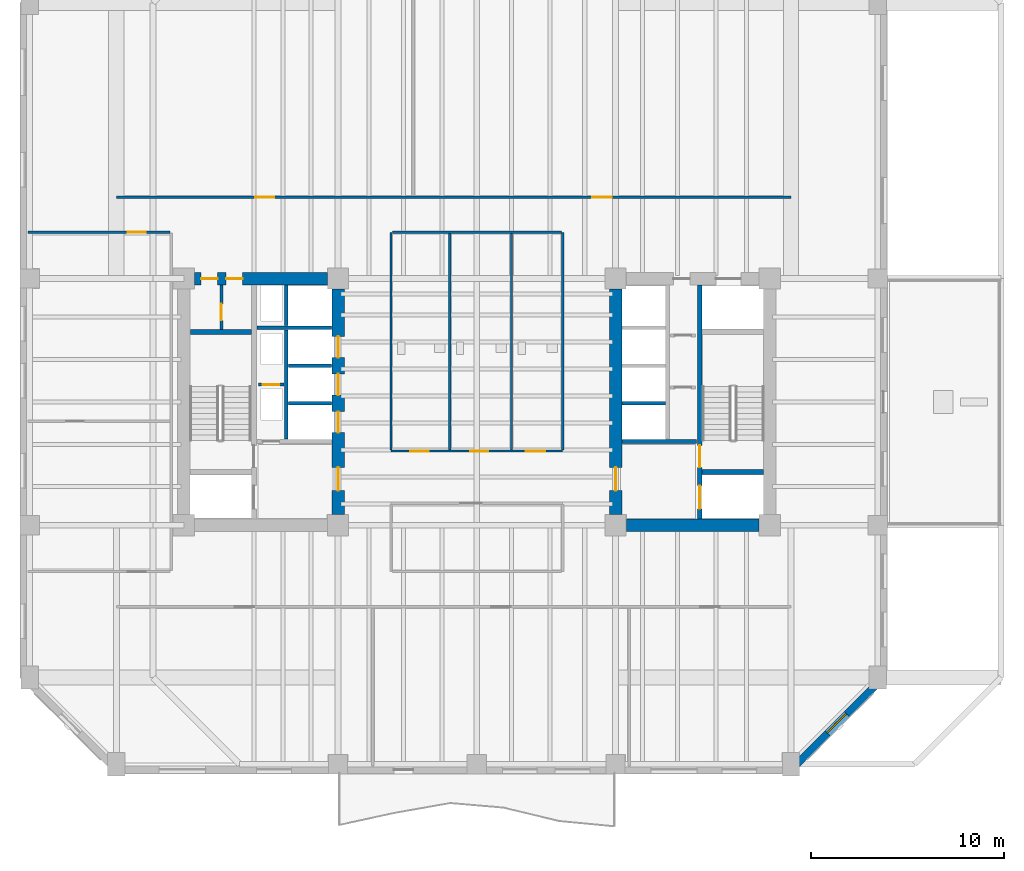
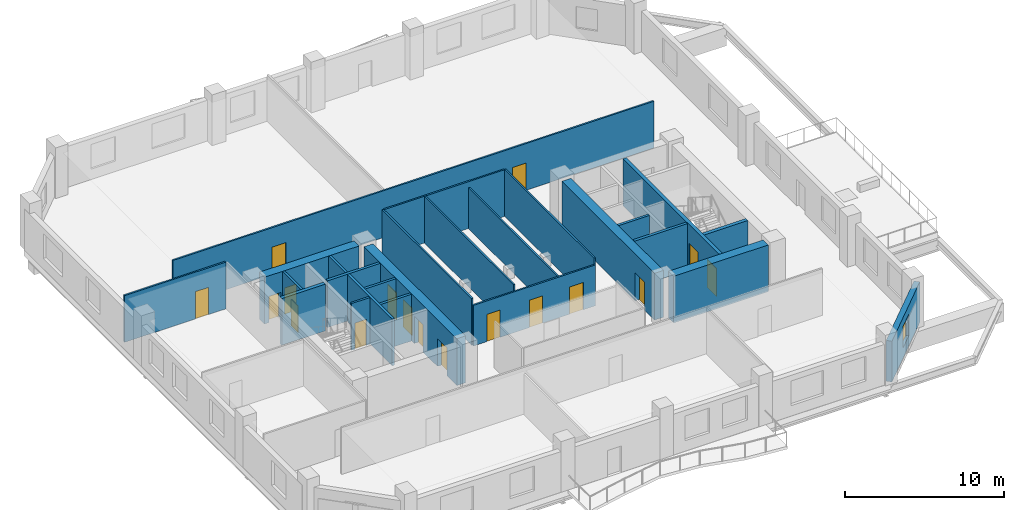
# One storey, part 4 of 11: 25 walls, 17 doors, 1 window, 18 openings.
"""IFC4 building model written with IfcOpenShell, lengths in metres."""

from ifc_helpers import new_model, si_unit, direction, frame, frame_2d, origin, place, context, subcontext, project, spatial, rectangle, extrude, material, layer, layer_set, type_object, element, fill, save


model = new_model("IFC4")

# Units and contexts
model_context = context("Model", 3, precision=1e-05, world=origin(), true_north=direction((0.0, 1.0)))
body_context = subcontext(model_context, "Body", "Model", "MODEL_VIEW")
ifc_project = project(units=[si_unit("LENGTHUNIT", "METRE"), si_unit("AREAUNIT", "SQUARE_METRE"), si_unit("VOLUMEUNIT", "CUBIC_METRE"), si_unit("PLANEANGLEUNIT", "RADIAN"), si_unit("MASSUNIT", "GRAM", prefix="KILO")], contexts=[model_context])

# Site, building, storey
site_placement = place(None, origin())
site = spatial("IfcSite", under=ifc_project, at=site_placement, CompositionType="ELEMENT")
building_placement = place(site_placement, origin())
building = spatial("IfcBuilding", under=site, at=building_placement, Name="Kranthara Brick Stack", CompositionType="ELEMENT")
storey_placement = place(building_placement, frame((0.0, 0.0, 94.5)))
storey = spatial("IfcBuildingStorey", under=building, at=storey_placement, Name="L23", CompositionType="ELEMENT", Elevation=94.5)

# Wall, opening, window
ifc_material_1 = material(Name="Kiln-fired clay brick masonry M15", Category="masonry")
ifc_layer_1 = layer(ifc_material_1, 0.3798828125)
ifc_layer_set_1 = layer_set([ifc_layer_1], Name="Kiln-fired clay brick masonry M15")
wall_type_1 = type_object("IfcWallType", Name="WL-BRK-PIER-380", PredefinedType="STANDARD", material=ifc_layer_set_1)
wall_1_placement = place(storey_placement, frame((49.090087890625, 12.89990234375, 0.0), z_axis=(0.0, 0.0, 1.0), x_axis=(-0.707124801467, -0.707088760447, 0.0)))
wall_1 = element("IfcWall", 1, at=wall_1_placement, inside=storey, type_object=wall_type_1, Name="L23 Exterior Brick Facade Wall SE 1", PredefinedType="STANDARD", context=body_context, shape_type="SweptSolid", body=[
    extrude(rectangle(XDim=6.77392578125, YDim=0.3798828125, at=frame_2d((3.386962890625, 0.0))), origin(), (0.0, 0.0, 1.0), 3.135009765625),
])
opening_1_placement = place(wall_1_placement, frame((2.68701171875, 0.0, 0.800048828125)))
opening_1 = element("IfcOpeningElement", 2, at=opening_1_placement, cuts=wall_1, Name="Opening WN10", PredefinedType="OPENING", context=body_context, shape_type="SweptSolid", body=[
    extrude(rectangle(XDim=1.39990234375, YDim=1.64990234375, at=frame_2d((0.699951171875, 0.824951171875))), frame((0.0, 0.199951171875, 0.0), z_axis=(0.0, -1.0, 0.0), x_axis=(1.0, 0.0, 0.0)), (0.0, 0.0, 1.0), 0.39990234375),
])
ifc_material_2 = material(Name="Double-glazed low-E solar control glass", Category="glass")
window_type = type_object("IfcWindowType", Name="WN-CHM-1400x1750", PartitioningType="SINGLE_PANEL", PredefinedType="WINDOW", material=ifc_material_2)
window_placement = place(opening_1_placement, origin())
window = element("IfcWindow", 3, at=window_placement, inside=storey, type_object=window_type, Name="L23 SE Chamfer Corner Window", OverallHeight=1.64990234375, OverallWidth=1.39990234375, PartitioningType="SINGLE_PANEL", PredefinedType="WINDOW", context=body_context, shape_type="SweptSolid", body=[
    extrude(rectangle(XDim=1.39990234375, YDim=1.64990234375, at=frame_2d((0.699951171875, 0.824951171875))), frame((0.0, -0.010009765625, 0.0), z_axis=(0.0, -1.0, 0.0), x_axis=(1.0, 0.0, 0.0)), (0.0, 0.0, 1.0), 0.06005859375),
])
fill(opening_1, window)

# Wall
ifc_material_3 = material(Name="Concrete C50/60", Category="concrete")
ifc_layer_2 = layer(ifc_material_3, 0.25)
ifc_layer_set_2 = layer_set([ifc_layer_2], Name="Concrete C50/60")
wall_type_2 = type_object("IfcWallType", Name="WL-CORE-250", PredefinedType="SHEAR", material=ifc_layer_set_2)
wall_2_placement = place(storey_placement, frame((13.135009765625, 30.830078125, 0.0), z_axis=(0.0, 0.0, 1.0), x_axis=(1.0, 0.0, 0.0)))
element("IfcWall", 4, at=wall_2_placement, inside=storey, type_object=wall_type_2, Name="L23 West Stairwell Bearing Wall WST", PredefinedType="SHEAR", context=body_context, shape_type="SweptSolid", body=[
    extrude(rectangle(XDim=3.175048828125, YDim=0.25, at=frame_2d((1.58740234375, 0.0))), origin(), (0.0, 0.0, 1.0), 3.60009765625),
])

# Wall, openings, doors
wall_3_placement = place(storey_placement, frame((39.56494140625, 21.135009765625, 0.0), z_axis=(0.0, 0.0, 1.0), x_axis=(0.0, 1.0, 0.0)))
wall_3 = element("IfcWall", 5, at=wall_3_placement, inside=storey, type_object=wall_type_2, Name="L23 East Core Stair Bearing Spine Wall", PredefinedType="SHEAR", context=body_context, shape_type="SweptSolid", body=[
    extrude(rectangle(XDim=12.1298828125, YDim=0.25, at=frame_2d((6.06494140625, 0.0))), origin(), (0.0, 0.0, 1.0), 3.60009765625),
])
opening_2_placement = place(wall_3_placement, frame((0.514892578125, 0.0, 0.0)))
opening_2 = element("IfcOpeningElement", 6, at=opening_2_placement, cuts=wall_3, Name="Opening LD01", PredefinedType="OPENING", context=body_context, shape_type="SweptSolid", body=[
    extrude(rectangle(XDim=1.199951171875, YDim=2.14990234375, at=frame_2d((0.60009765625, 1.074951171875))), frame((0.0, 0.135009765625, 0.0), z_axis=(0.0, -1.0, 0.0), x_axis=(1.0, 0.0, 0.0)), (0.0, 0.0, 1.0), 0.27001953125),
])
opening_3_placement = place(wall_3_placement, frame((2.6650390625, 0.0, 0.0)))
opening_3 = element("IfcOpeningElement", 7, at=opening_3_placement, cuts=wall_3, Name="Opening D05", PredefinedType="OPENING", context=body_context, shape_type="SweptSolid", body=[
    extrude(rectangle(XDim=1.14990234375, YDim=2.14990234375, at=frame_2d((0.574951171875, 1.074951171875))), frame((0.0, 0.135009765625, 0.0), z_axis=(0.0, -1.0, 0.0), x_axis=(1.0, 0.0, 0.0)), (0.0, 0.0, 1.0), 0.27001953125),
])
ifc_material_4 = material(Name="Stainless steel sliding landing door", Category="steel")
door_type_1 = type_object("IfcDoorType", Name="DR-LD-FF1200", OperationType="DOUBLE_DOOR_SLIDING", PredefinedType="DOOR", material=ifc_material_4)
door_1_placement = place(opening_2_placement, origin())
door_1 = element("IfcDoor", 8, at=door_1_placement, inside=storey, type_object=door_type_1, Name="L23 Firefighting Lift FF-02 Landing Door", OperationType="DOUBLE_DOOR_SLIDING", OverallHeight=2.14990234375, OverallWidth=1.199951171875, PredefinedType="DOOR", context=body_context, shape_type="SweptSolid", body=[
    extrude(rectangle(XDim=1.199951171875, YDim=2.14990234375, at=frame_2d((0.60009765625, 1.074951171875))), frame((0.0, 0.02490234375, 0.0), z_axis=(0.0, -1.0, 0.0), x_axis=(1.0, 0.0, 0.0)), (0.0, 0.0, 1.0), 0.050048828125),
])
fill(opening_2, door_1)
ifc_material_5 = material(Name="Solid-core hardwood timber leaf in steel frame", Category="steel")
door_type_2 = type_object("IfcDoorType", Name="DR-ST-1150", OperationType="NOTDEFINED", PredefinedType="DOOR", material=ifc_material_5)
door_2_placement = place(opening_3_placement, origin())
door_2 = element("IfcDoor", 9, at=door_2_placement, inside=storey, type_object=door_type_2, Name="L23 Exit Stair ST02 Door", OperationType="SINGLE_SWING_LEFT", OverallHeight=2.14990234375, OverallWidth=1.14990234375, PredefinedType="DOOR", context=body_context, shape_type="SweptSolid", body=[
    extrude(rectangle(XDim=1.14990234375, YDim=2.14990234375, at=frame_2d((0.574951171875, 1.074951171875))), frame((0.0, 0.02490234375, 0.0), z_axis=(0.0, -1.0, 0.0), x_axis=(1.0, 0.0, 0.0)), (0.0, 0.0, 1.0), 0.050048828125),
])
fill(opening_3, door_2)

# Wall
wall_4_placement = place(storey_placement, frame((39.68994140625, 23.570068359375, 0.0), z_axis=(0.0, 0.0, 1.0), x_axis=(1.0, 0.0, 0.0)))
element("IfcWall", 10, at=wall_4_placement, inside=storey, type_object=wall_type_2, Name="L23 East Stairwell Bearing Wall EFF", PredefinedType="SHEAR", context=body_context, shape_type="SweptSolid", body=[
    extrude(rectangle(XDim=3.175048828125, YDim=0.25, at=frame_2d((1.58740234375, 0.0))), origin(), (0.0, 0.0, 1.0), 3.60009765625),
])

# Wall, openings, doors
ifc_material_6 = material(Name="Concrete C60/75", Category="concrete")
ifc_layer_3 = layer(ifc_material_6, 0.64990234375)
ifc_layer_set_3 = layer_set([ifc_layer_3], Name="Concrete C60/75")
wall_type_3 = type_object("IfcWallType", Name="WL-CORE-650", PredefinedType="SHEAR", material=ifc_layer_set_3)
wall_5_placement = place(storey_placement, frame((13.35498046875, 33.60009765625, 0.0), z_axis=(0.0, 0.0, 1.0), x_axis=(1.0, 0.0, 0.0)))
wall_5 = element("IfcWall", 11, at=wall_5_placement, inside=storey, type_object=wall_type_3, Name="L23 West Core Shear Wall North", PredefinedType="SHEAR", context=body_context, shape_type="SweptSolid", body=[
    extrude(rectangle(XDim=6.89013671875, YDim=0.64990234375, at=frame_2d((3.445068359375, 0.0))), origin(), (0.0, 0.0, 1.0), 3.60009765625),
])
opening_4_placement = place(wall_5_placement, frame((0.344970703125, 0.0, 0.0)))
opening_4 = element("IfcOpeningElement", 12, at=opening_4_placement, cuts=wall_5, Name="Opening D10", PredefinedType="OPENING", context=body_context, shape_type="SweptSolid", body=[
    extrude(rectangle(XDim=0.85009765625, YDim=2.02001953125, at=frame_2d((0.425048828125, 1.010009765625))), frame((0.0, 0.3349609375, 0.0), z_axis=(0.0, -1.0, 0.0), x_axis=(1.0, 0.0, 0.0)), (0.0, 0.0, 1.0), 0.669921875),
])
opening_5_placement = place(wall_5_placement, frame((1.64501953125, 0.0, 0.0)))
opening_5 = element("IfcOpeningElement", 13, at=opening_5_placement, cuts=wall_5, Name="Opening D10", PredefinedType="OPENING", context=body_context, shape_type="SweptSolid", body=[
    extrude(rectangle(XDim=0.85009765625, YDim=2.02001953125, at=frame_2d((0.425048828125, 1.010009765625))), frame((0.0, 0.3349609375, 0.0), z_axis=(0.0, -1.0, 0.0), x_axis=(1.0, 0.0, 0.0)), (0.0, 0.0, 1.0), 0.669921875),
])
ifc_material_7 = material(Name="Solid-core hardwood timber leaf in steel frame", Category="steel")
door_type_3 = type_object("IfcDoorType", Name="DR-RSR-850", OperationType="NOTDEFINED", PredefinedType="DOOR", material=ifc_material_7)
door_3_placement = place(opening_4_placement, origin())
door_3 = element("IfcDoor", 14, at=door_3_placement, inside=storey, type_object=door_type_3, Name="L23 West Core Service Door 1", OperationType="SINGLE_SWING_LEFT", OverallHeight=2.02001953125, OverallWidth=0.85009765625, PredefinedType="DOOR", context=body_context, shape_type="SweptSolid", body=[
    extrude(rectangle(XDim=0.85009765625, YDim=2.02001953125, at=frame_2d((0.425048828125, 1.010009765625))), frame((0.0, 0.02490234375, 0.0), z_axis=(0.0, -1.0, 0.0), x_axis=(1.0, 0.0, 0.0)), (0.0, 0.0, 1.0), 0.050048828125),
])
fill(opening_4, door_3)
door_4_placement = place(opening_5_placement, origin())
door_4 = element("IfcDoor", 15, at=door_4_placement, inside=storey, type_object=door_type_3, Name="L23 West Core Service Door 2", OperationType="SINGLE_SWING_RIGHT", OverallHeight=2.02001953125, OverallWidth=0.85009765625, PredefinedType="DOOR", context=body_context, shape_type="SweptSolid", body=[
    extrude(rectangle(XDim=0.85009765625, YDim=2.02001953125, at=frame_2d((0.425048828125, 1.010009765625))), frame((0.0, 0.02490234375, 0.0), z_axis=(0.0, -1.0, 0.0), x_axis=(1.0, 0.0, 0.0)), (0.0, 0.0, 1.0), 0.050048828125),
])
fill(opening_5, door_4)

wall_6_placement = place(storey_placement, frame((20.800048828125, 21.35498046875, 0.0), z_axis=(0.0, 0.0, 1.0), x_axis=(0.0, 1.0, 0.0)))
wall_6 = element("IfcWall", 16, at=wall_6_placement, inside=storey, type_object=wall_type_3, Name="L23 West Core Shear Wall East", PredefinedType="SHEAR", context=body_context, shape_type="SweptSolid", body=[
    extrude(rectangle(XDim=11.68994140625, YDim=0.64990234375, at=frame_2d((5.844970703125, 0.0))), origin(), (0.0, 0.0, 1.0), 3.60009765625),
])
opening_6_placement = place(wall_6_placement, frame((1.2451171875, 0.0, 0.0)))
opening_6 = element("IfcOpeningElement", 17, at=opening_6_placement, cuts=wall_6, Name="Opening D06", PredefinedType="OPENING", context=body_context, shape_type="SweptSolid", body=[
    extrude(rectangle(XDim=1.199951171875, YDim=2.14990234375, at=frame_2d((0.60009765625, 1.074951171875))), frame((0.0, 0.3349609375, 0.0), z_axis=(0.0, -1.0, 0.0), x_axis=(1.0, 0.0, 0.0)), (0.0, 0.0, 1.0), 0.669921875),
])
opening_7_placement = place(wall_6_placement, frame((4.2451171875, 0.0, 0.0)))
opening_7 = element("IfcOpeningElement", 18, at=opening_7_placement, cuts=wall_6, Name="Opening LD02", PredefinedType="OPENING", context=body_context, shape_type="SweptSolid", body=[
    extrude(rectangle(XDim=1.10009765625, YDim=2.10009765625, at=frame_2d((0.550048828125, 1.050048828125))), frame((0.0, 0.3349609375, 0.0), z_axis=(0.0, -1.0, 0.0), x_axis=(1.0, 0.0, 0.0)), (0.0, 0.0, 1.0), 0.669921875),
])
opening_8_placement = place(wall_6_placement, frame((6.195068359375, 0.0, 0.0)))
opening_8 = element("IfcOpeningElement", 19, at=opening_8_placement, cuts=wall_6, Name="Opening LD02", PredefinedType="OPENING", context=body_context, shape_type="SweptSolid", body=[
    extrude(rectangle(XDim=1.10009765625, YDim=2.10009765625, at=frame_2d((0.550048828125, 1.050048828125))), frame((0.0, 0.3349609375, 0.0), z_axis=(0.0, -1.0, 0.0), x_axis=(1.0, 0.0, 0.0)), (0.0, 0.0, 1.0), 0.669921875),
])
opening_9_placement = place(wall_6_placement, frame((8.14501953125, 0.0, 0.0)))
opening_9 = element("IfcOpeningElement", 20, at=opening_9_placement, cuts=wall_6, Name="Opening LD02", PredefinedType="OPENING", context=body_context, shape_type="SweptSolid", body=[
    extrude(rectangle(XDim=1.10009765625, YDim=2.10009765625, at=frame_2d((0.550048828125, 1.050048828125))), frame((0.0, 0.3349609375, 0.0), z_axis=(0.0, -1.0, 0.0), x_axis=(1.0, 0.0, 0.0)), (0.0, 0.0, 1.0), 0.669921875),
])
ifc_material_8 = material(Name="Solid-core hardwood timber leaf in steel frame", Category="steel")
door_type_4 = type_object("IfcDoorType", Name="DR-FFL-1200", OperationType="NOTDEFINED", PredefinedType="DOOR", material=ifc_material_8)
door_5_placement = place(opening_6_placement, origin())
door_5 = element("IfcDoor", 21, at=door_5_placement, inside=storey, type_object=door_type_4, Name="L23 West Firefighting Lobby Door", OperationType="SINGLE_SWING_LEFT", OverallHeight=2.14990234375, OverallWidth=1.199951171875, PredefinedType="DOOR", context=body_context, shape_type="SweptSolid", body=[
    extrude(rectangle(XDim=1.199951171875, YDim=2.14990234375, at=frame_2d((0.60009765625, 1.074951171875))), frame((0.0, 0.02490234375, 0.0), z_axis=(0.0, -1.0, 0.0), x_axis=(1.0, 0.0, 0.0)), (0.0, 0.0, 1.0), 0.050048828125),
])
fill(opening_6, door_5)
ifc_material_9 = material(Name="Stainless steel sliding landing door", Category="steel")
door_type_5 = type_object("IfcDoorType", Name="DR-LD-PL1100", OperationType="DOUBLE_DOOR_SLIDING", PredefinedType="DOOR", material=ifc_material_9)
door_6_placement = place(opening_7_placement, origin())
door_6 = element("IfcDoor", 22, at=door_6_placement, inside=storey, type_object=door_type_5, Name="L23 PL-01 Lift Landing Door", OperationType="DOUBLE_DOOR_SLIDING", OverallHeight=2.10009765625, OverallWidth=1.10009765625, PredefinedType="DOOR", context=body_context, shape_type="SweptSolid", body=[
    extrude(rectangle(XDim=1.10009765625, YDim=2.10009765625, at=frame_2d((0.550048828125, 1.050048828125))), frame((0.0, 0.02490234375, 0.0), z_axis=(0.0, -1.0, 0.0), x_axis=(1.0, 0.0, 0.0)), (0.0, 0.0, 1.0), 0.050048828125),
])
fill(opening_7, door_6)
door_7_placement = place(opening_8_placement, origin())
door_7 = element("IfcDoor", 23, at=door_7_placement, inside=storey, type_object=door_type_5, Name="L23 PL-02 Lift Landing Door", OperationType="DOUBLE_DOOR_SLIDING", OverallHeight=2.10009765625, OverallWidth=1.10009765625, PredefinedType="DOOR", context=body_context, shape_type="SweptSolid", body=[
    extrude(rectangle(XDim=1.10009765625, YDim=2.10009765625, at=frame_2d((0.550048828125, 1.050048828125))), frame((0.0, 0.02490234375, 0.0), z_axis=(0.0, -1.0, 0.0), x_axis=(1.0, 0.0, 0.0)), (0.0, 0.0, 1.0), 0.050048828125),
])
fill(opening_8, door_7)
door_8_placement = place(opening_9_placement, origin())
door_8 = element("IfcDoor", 24, at=door_8_placement, inside=storey, type_object=door_type_5, Name="L23 PL-03 Lift Landing Door", OperationType="DOUBLE_DOOR_SLIDING", OverallHeight=2.10009765625, OverallWidth=1.10009765625, PredefinedType="DOOR", context=body_context, shape_type="SweptSolid", body=[
    extrude(rectangle(XDim=1.10009765625, YDim=2.10009765625, at=frame_2d((0.550048828125, 1.050048828125))), frame((0.0, 0.02490234375, 0.0), z_axis=(0.0, -1.0, 0.0), x_axis=(1.0, 0.0, 0.0)), (0.0, 0.0, 1.0), 0.050048828125),
])
fill(opening_9, door_8)

# Wall
wall_7_placement = place(storey_placement, frame((35.7548828125, 20.800048828125, 0.0), z_axis=(0.0, 0.0, 1.0), x_axis=(1.0, 0.0, 0.0)))
element("IfcWall", 25, at=wall_7_placement, inside=storey, type_object=wall_type_3, Name="L23 East Core Shear Wall South", PredefinedType="SHEAR", context=body_context, shape_type="SweptSolid", body=[
    extrude(rectangle(XDim=6.89013671875, YDim=0.64990234375, at=frame_2d((3.445068359375, 0.0))), origin(), (0.0, 0.0, 1.0), 3.60009765625),
])

# Wall, opening, door
wall_8_placement = place(storey_placement, frame((35.199951171875, 21.35498046875, 0.0), z_axis=(0.0, 0.0, 1.0), x_axis=(0.0, 1.0, 0.0)))
wall_8 = element("IfcWall", 26, at=wall_8_placement, inside=storey, type_object=wall_type_3, Name="L23 East Core Shear Wall West", PredefinedType="SHEAR", context=body_context, shape_type="SweptSolid", body=[
    extrude(rectangle(XDim=11.68994140625, YDim=0.64990234375, at=frame_2d((5.844970703125, 0.0))), origin(), (0.0, 0.0, 1.0), 3.60009765625),
])
opening_10_placement = place(wall_8_placement, frame((1.2451171875, 0.0, 0.0)))
opening_10 = element("IfcOpeningElement", 27, at=opening_10_placement, cuts=wall_8, Name="Opening D06", PredefinedType="OPENING", context=body_context, shape_type="SweptSolid", body=[
    extrude(rectangle(XDim=1.199951171875, YDim=2.14990234375, at=frame_2d((0.60009765625, 1.074951171875))), frame((0.0, 0.3349609375, 0.0), z_axis=(0.0, -1.0, 0.0), x_axis=(1.0, 0.0, 0.0)), (0.0, 0.0, 1.0), 0.669921875),
])
door_9_placement = place(opening_10_placement, origin())
door_9 = element("IfcDoor", 28, at=door_9_placement, inside=storey, type_object=door_type_4, Name="L23 East Firefighting Lobby Door", OperationType="SINGLE_SWING_RIGHT", OverallHeight=2.14990234375, OverallWidth=1.199951171875, PredefinedType="DOOR", context=body_context, shape_type="SweptSolid", body=[
    extrude(rectangle(XDim=1.199951171875, YDim=2.14990234375, at=frame_2d((0.60009765625, 1.074951171875))), frame((0.0, 0.02490234375, 0.0), z_axis=(0.0, -1.0, 0.0), x_axis=(1.0, 0.0, 0.0)), (0.0, 0.0, 1.0), 0.050048828125),
])
fill(opening_10, door_9)

# Wall, openings, doors
ifc_material_10 = material(Name="Acoustic gypsum plasterboard partition", Category="other")
ifc_layer_4 = layer(ifc_material_10, 0.1201171875)
ifc_layer_set_4 = layer_set([ifc_layer_4], Name="Acoustic gypsum plasterboard partition")
wall_type_4 = type_object("IfcWallType", Name="WL-PART-120", PredefinedType="PARTITIONING", material=ifc_layer_set_4)
wall_9_placement = place(storey_placement, frame((23.550048828125, 24.64990234375, 0.0), z_axis=(0.0, 0.0, 1.0), x_axis=(1.0, 0.0, 0.0)))
wall_9 = element("IfcWall", 29, at=wall_9_placement, inside=storey, type_object=wall_type_4, Name="L23 Interior Partition 005", PredefinedType="PARTITIONING", context=body_context, shape_type="SweptSolid", body=[
    extrude(rectangle(XDim=8.89990234375, YDim=0.1201171875, at=frame_2d((4.449951171875, 0.0))), origin(), (0.0, 0.0, 1.0), 3.135009765625),
])
opening_11_placement = place(wall_9_placement, frame((1.0, 0.0, 0.0)))
opening_11 = element("IfcOpeningElement", 30, at=opening_11_placement, cuts=wall_9, Name="Opening D14", PredefinedType="OPENING", context=body_context, shape_type="SweptSolid", body=[
    extrude(rectangle(XDim=0.949951171875, YDim=2.10009765625, at=frame_2d((0.47509765625, 1.050048828125))), frame((0.0, 0.070068359375, 0.0), z_axis=(0.0, -1.0, 0.0), x_axis=(1.0, 0.0, 0.0)), (0.0, 0.0, 1.0), 0.14013671875),
])
opening_12_placement = place(wall_9_placement, frame((4.10009765625, 0.0, 0.0)))
opening_12 = element("IfcOpeningElement", 31, at=opening_12_placement, cuts=wall_9, Name="Opening D14", PredefinedType="OPENING", context=body_context, shape_type="SweptSolid", body=[
    extrude(rectangle(XDim=0.949951171875, YDim=2.10009765625, at=frame_2d((0.47509765625, 1.050048828125))), frame((0.0, 0.070068359375, 0.0), z_axis=(0.0, -1.0, 0.0), x_axis=(1.0, 0.0, 0.0)), (0.0, 0.0, 1.0), 0.14013671875),
])
opening_13_placement = place(wall_9_placement, frame((7.0, 0.0, 0.0)))
opening_13 = element("IfcOpeningElement", 32, at=opening_13_placement, cuts=wall_9, Name="Opening D18", PredefinedType="OPENING", context=body_context, shape_type="SweptSolid", body=[
    extrude(rectangle(XDim=1.0, YDim=2.10009765625, at=frame_2d((0.5, 1.050048828125))), frame((0.0, 0.070068359375, 0.0), z_axis=(0.0, -1.0, 0.0), x_axis=(1.0, 0.0, 0.0)), (0.0, 0.0, 1.0), 0.14013671875),
])
ifc_material_11 = material(Name="Solid-core hardwood timber leaf in steel frame", Category="steel")
door_type_6 = type_object("IfcDoorType", Name="DR-ACC-1000", OperationType="NOTDEFINED", PredefinedType="DOOR", material=ifc_material_11)
door_10_placement = place(opening_13_placement, origin())
door_10 = element("IfcDoor", 33, at=door_10_placement, inside=storey, type_object=door_type_6, Name="L23 Accessible WC Door 07", OperationType="SINGLE_SWING_LEFT", OverallHeight=2.10009765625, OverallWidth=1.0, PredefinedType="DOOR", context=body_context, shape_type="SweptSolid", body=[
    extrude(rectangle(XDim=1.0, YDim=2.10009765625, at=frame_2d((0.5, 1.050048828125))), frame((0.0, 0.02490234375, 0.0), z_axis=(0.0, -1.0, 0.0), x_axis=(1.0, 0.0, 0.0)), (0.0, 0.0, 1.0), 0.050048828125),
])
fill(opening_13, door_10)
ifc_material_12 = material(Name="Solid-core hardwood timber leaf in steel frame", Category="steel")
door_type_7 = type_object("IfcDoorType", Name="DR-INT-950", OperationType="NOTDEFINED", PredefinedType="DOOR", material=ifc_material_12)
door_11_placement = place(opening_11_placement, origin())
door_11 = element("IfcDoor", 34, at=door_11_placement, inside=storey, type_object=door_type_7, Name="L23 Male WC Door 05", OperationType="SINGLE_SWING_LEFT", OverallHeight=2.10009765625, OverallWidth=0.949951171875, PredefinedType="DOOR", context=body_context, shape_type="SweptSolid", body=[
    extrude(rectangle(XDim=0.949951171875, YDim=2.10009765625, at=frame_2d((0.47509765625, 1.050048828125))), frame((0.0, 0.02490234375, 0.0), z_axis=(0.0, -1.0, 0.0), x_axis=(1.0, 0.0, 0.0)), (0.0, 0.0, 1.0), 0.050048828125),
])
fill(opening_11, door_11)
door_12_placement = place(opening_12_placement, origin())
door_12 = element("IfcDoor", 35, at=door_12_placement, inside=storey, type_object=door_type_7, Name="L23 Female WC Door 06", OperationType="SINGLE_SWING_RIGHT", OverallHeight=2.10009765625, OverallWidth=0.949951171875, PredefinedType="DOOR", context=body_context, shape_type="SweptSolid", body=[
    extrude(rectangle(XDim=0.949951171875, YDim=2.10009765625, at=frame_2d((0.47509765625, 1.050048828125))), frame((0.0, 0.02490234375, 0.0), z_axis=(0.0, -1.0, 0.0), x_axis=(1.0, 0.0, 0.0)), (0.0, 0.0, 1.0), 0.050048828125),
])
fill(opening_12, door_12)

# Walls
for number, where, z_axis, x_axis, name in (
    (36, (23.550048828125, 24.715087890625, 0.0), (0.0, 0.0, 1.0), (0.0, 1.0, 0.0), "L23 Interior Partition 006"),
    (37, (32.449951171875, 24.715087890625, 0.0), (0.0, 0.0, 1.0), (0.0, 1.0, 0.0), "L23 Interior Partition 007"),
    (38, (26.60009765625, 24.715087890625, 0.0), (0.0, 0.0, 1.0), (0.0, 1.0, 0.0), "L23 Interior Partition 008"),
):
    element("IfcWall", number, at=place(storey_placement, frame(where, z_axis=z_axis, x_axis=x_axis)), inside=storey, type_object=wall_type_4, Name=name, PredefinedType="PARTITIONING", context=body_context, shape_type="SweptSolid", body=[
        extrude(rectangle(XDim=11.284912109375, YDim=0.1201171875, at=frame_2d((5.642578125, 0.0))), origin(), (0.0, 0.0, 1.0), 3.60009765625),
    ])
wall_10_placement = place(storey_placement, frame((29.800048828125, 24.715087890625, 0.0), z_axis=(0.0, 0.0, 1.0), x_axis=(0.0, 1.0, 0.0)))
element("IfcWall", 39, at=wall_10_placement, inside=storey, type_object=wall_type_4, Name="L23 Interior Partition 009", PredefinedType="PARTITIONING", context=body_context, shape_type="SweptSolid", body=[
    extrude(rectangle(XDim=11.284912109375, YDim=0.1201171875, at=frame_2d((5.642578125, 0.0))), origin(), (0.0, 0.0, 1.0), 3.135009765625),
])
wall_11_placement = place(storey_placement, frame((23.614990234375, 36.0, 0.0), z_axis=(0.0, 0.0, 1.0), x_axis=(1.0, 0.0, 0.0)))
element("IfcWall", 40, at=wall_11_placement, inside=storey, type_object=wall_type_4, Name="L23 Interior Partition 010", PredefinedType="PARTITIONING", context=body_context, shape_type="SweptSolid", body=[
    extrude(rectangle(XDim=8.77001953125, YDim=0.1201171875, at=frame_2d((4.385009765625, 0.0))), origin(), (0.0, 0.0, 1.0), 3.60009765625),
])

# Wall, openings, doors
wall_12_placement = place(storey_placement, frame((9.300048828125, 37.820068359375, 0.0), z_axis=(0.0, 0.0, 1.0), x_axis=(1.0, 0.0, 0.0)))
wall_12 = element("IfcWall", 41, at=wall_12_placement, inside=storey, type_object=wall_type_4, Name="L23 Interior Partition 018", PredefinedType="PARTITIONING", context=body_context, shape_type="SweptSolid", body=[
    extrude(rectangle(XDim=35.0, YDim=0.1201171875, at=frame_2d((17.5, 0.0))), origin(), (0.0, 0.0, 1.0), 3.60009765625),
])
opening_14_placement = place(wall_12_placement, frame((7.199951171875, 0.0, 0.0)))
opening_14 = element("IfcOpeningElement", 42, at=opening_14_placement, cuts=wall_12, Name="Opening D13", PredefinedType="OPENING", context=body_context, shape_type="SweptSolid", body=[
    extrude(rectangle(XDim=1.0, YDim=2.10009765625, at=frame_2d((0.5, 1.050048828125))), frame((0.0, 0.070068359375, 0.0), z_axis=(0.0, -1.0, 0.0), x_axis=(1.0, 0.0, 0.0)), (0.0, 0.0, 1.0), 0.14013671875),
])
opening_15_placement = place(wall_12_placement, frame((24.699951171875, 0.0, 0.0)))
opening_15 = element("IfcOpeningElement", 43, at=opening_15_placement, cuts=wall_12, Name="Opening D13", PredefinedType="OPENING", context=body_context, shape_type="SweptSolid", body=[
    extrude(rectangle(XDim=1.0, YDim=2.10009765625, at=frame_2d((0.5, 1.050048828125))), frame((0.0, 0.070068359375, 0.0), z_axis=(0.0, -1.0, 0.0), x_axis=(1.0, 0.0, 0.0)), (0.0, 0.0, 1.0), 0.14013671875),
])
ifc_material_13 = material(Name="Solid-core hardwood timber leaf in steel frame", Category="steel")
door_type_8 = type_object("IfcDoorType", Name="DR-INT-1000", OperationType="NOTDEFINED", PredefinedType="DOOR", material=ifc_material_13)
door_13_placement = place(opening_14_placement, origin())
door_13 = element("IfcDoor", 44, at=door_13_placement, inside=storey, type_object=door_type_8, Name="L23 Open Plan Workspace 12", OperationType="SINGLE_SWING_RIGHT", OverallHeight=2.10009765625, OverallWidth=1.0, PredefinedType="DOOR", context=body_context, shape_type="SweptSolid", body=[
    extrude(rectangle(XDim=1.0, YDim=2.10009765625, at=frame_2d((0.5, 1.050048828125))), frame((0.0, 0.02490234375, 0.0), z_axis=(0.0, -1.0, 0.0), x_axis=(1.0, 0.0, 0.0)), (0.0, 0.0, 1.0), 0.050048828125),
])
fill(opening_14, door_13)
door_14_placement = place(opening_15_placement, origin())
door_14 = element("IfcDoor", 45, at=door_14_placement, inside=storey, type_object=door_type_8, Name="L23 Staff Pantry 13", OperationType="SINGLE_SWING_LEFT", OverallHeight=2.10009765625, OverallWidth=1.0, PredefinedType="DOOR", context=body_context, shape_type="SweptSolid", body=[
    extrude(rectangle(XDim=1.0, YDim=2.10009765625, at=frame_2d((0.5, 1.050048828125))), frame((0.0, 0.02490234375, 0.0), z_axis=(0.0, -1.0, 0.0), x_axis=(1.0, 0.0, 0.0)), (0.0, 0.0, 1.0), 0.050048828125),
])
fill(opening_15, door_14)

# Wall, opening, door
wall_13_placement = place(storey_placement, frame((4.705078125, 36.0, 0.0), z_axis=(0.0, 0.0, 1.0), x_axis=(1.0, 0.0, 0.0)))
wall_13 = element("IfcWall", 46, at=wall_13_placement, inside=storey, type_object=wall_type_4, Name="L23 Interior Partition 022", PredefinedType="PARTITIONING", context=body_context, shape_type="SweptSolid", body=[
    extrude(rectangle(XDim=7.3798828125, YDim=0.1201171875, at=frame_2d((3.68994140625, 0.0))), origin(), (0.0, 0.0, 1.0), 3.60009765625),
])
opening_16_placement = place(wall_13_placement, frame((5.179931640625, 0.0, 0.0)))
opening_16 = element("IfcOpeningElement", 47, at=opening_16_placement, cuts=wall_13, Name="Opening D14", PredefinedType="OPENING", context=body_context, shape_type="SweptSolid", body=[
    extrude(rectangle(XDim=0.949951171875, YDim=2.10009765625, at=frame_2d((0.47509765625, 1.050048828125))), frame((0.0, 0.070068359375, 0.0), z_axis=(0.0, -1.0, 0.0), x_axis=(1.0, 0.0, 0.0)), (0.0, 0.0, 1.0), 0.14013671875),
])
door_15_placement = place(opening_16_placement, origin())
door_15 = element("IfcDoor", 48, at=door_15_placement, inside=storey, type_object=door_type_7, Name="L23 West North Office 16", OperationType="SINGLE_SWING_RIGHT", OverallHeight=2.10009765625, OverallWidth=0.949951171875, PredefinedType="DOOR", context=body_context, shape_type="SweptSolid", body=[
    extrude(rectangle(XDim=0.949951171875, YDim=2.10009765625, at=frame_2d((0.47509765625, 1.050048828125))), frame((0.0, 0.02490234375, 0.0), z_axis=(0.0, -1.0, 0.0), x_axis=(1.0, 0.0, 0.0)), (0.0, 0.0, 1.0), 0.050048828125),
])
fill(opening_16, door_15)

ifc_material_14 = material(Name="Fire-rated gypsum board partition", Category="other")
ifc_layer_5 = layer(ifc_material_14, 0.14990234375)
ifc_layer_set_5 = layer_set([ifc_layer_5], Name="Fire-rated gypsum board partition")
wall_type_5 = type_object("IfcWallType", Name="WL-PART-150", PredefinedType="PARTITIONING", material=ifc_layer_set_5)
wall_14_placement = place(storey_placement, frame((14.75, 30.9599609375, 0.0), z_axis=(0.0, 0.0, 1.0), x_axis=(0.0, 1.0, 0.0)))
wall_14 = element("IfcWall", 49, at=wall_14_placement, inside=storey, type_object=wall_type_5, Name="L23 Interior Partition 001", PredefinedType="PARTITIONING", context=body_context, shape_type="SweptSolid", body=[
    extrude(rectangle(XDim=2.31005859375, YDim=0.14990234375, at=frame_2d((1.155029296875, 0.0))), origin(), (0.0, 0.0, 1.0), 3.60009765625),
])
opening_17_placement = place(wall_14_placement, frame((0.469970703125, 0.0, 0.0)))
opening_17 = element("IfcOpeningElement", 50, at=opening_17_placement, cuts=wall_14, Name="Opening D10", PredefinedType="OPENING", context=body_context, shape_type="SweptSolid", body=[
    extrude(rectangle(XDim=0.85009765625, YDim=2.02001953125, at=frame_2d((0.425048828125, 1.010009765625))), frame((0.0, 0.0849609375, 0.0), z_axis=(0.0, -1.0, 0.0), x_axis=(1.0, 0.0, 0.0)), (0.0, 0.0, 1.0), 0.169921875),
])
door_16_placement = place(opening_17_placement, origin())
door_16 = element("IfcDoor", 51, at=door_16_placement, inside=storey, type_object=door_type_3, Name="L23 Service Interconnect 01", OperationType="SINGLE_SWING_LEFT", OverallHeight=2.02001953125, OverallWidth=0.85009765625, PredefinedType="DOOR", context=body_context, shape_type="SweptSolid", body=[
    extrude(rectangle(XDim=0.85009765625, YDim=2.02001953125, at=frame_2d((0.425048828125, 1.010009765625))), frame((0.0, 0.02490234375, 0.0), z_axis=(0.0, -1.0, 0.0), x_axis=(1.0, 0.0, 0.0)), (0.0, 0.0, 1.0), 0.050048828125),
])
fill(opening_17, door_16)

wall_15_placement = place(storey_placement, frame((16.679931640625, 28.10009765625, 0.0), z_axis=(0.0, 0.0, 1.0), x_axis=(1.0, 0.0, 0.0)))
wall_15 = element("IfcWall", 52, at=wall_15_placement, inside=storey, type_object=wall_type_5, Name="L23 Interior Partition 004", PredefinedType="PARTITIONING", context=body_context, shape_type="SweptSolid", body=[
    extrude(rectangle(XDim=1.320068359375, YDim=0.14990234375, at=frame_2d((0.66015625, 0.0))), origin(), (0.0, 0.0, 1.0), 3.60009765625),
])
opening_18_placement = place(wall_15_placement, frame((0.219970703125, 0.0, 0.0)))
opening_18 = element("IfcOpeningElement", 53, at=opening_18_placement, cuts=wall_15, Name="Opening D10", PredefinedType="OPENING", context=body_context, shape_type="SweptSolid", body=[
    extrude(rectangle(XDim=0.85009765625, YDim=2.02001953125, at=frame_2d((0.425048828125, 1.010009765625))), frame((0.0, 0.0849609375, 0.0), z_axis=(0.0, -1.0, 0.0), x_axis=(1.0, 0.0, 0.0)), (0.0, 0.0, 1.0), 0.169921875),
])
door_17_placement = place(opening_18_placement, origin())
door_17 = element("IfcDoor", 54, at=door_17_placement, inside=storey, type_object=door_type_3, Name="L23 Riser Split Door 04", OperationType="SINGLE_SWING_RIGHT", OverallHeight=2.02001953125, OverallWidth=0.85009765625, PredefinedType="DOOR", context=body_context, shape_type="SweptSolid", body=[
    extrude(rectangle(XDim=0.85009765625, YDim=2.02001953125, at=frame_2d((0.425048828125, 1.010009765625))), frame((0.0, 0.02490234375, 0.0), z_axis=(0.0, -1.0, 0.0), x_axis=(1.0, 0.0, 0.0)), (0.0, 0.0, 1.0), 0.050048828125),
])
fill(opening_18, door_17)

# Walls
ifc_material_15 = material(Name="Gypsum plasterboard on acoustic twin stud", Category="other")
ifc_layer_6 = layer(ifc_material_15, 0.179931640625)
ifc_layer_set_6 = layer_set([ifc_layer_6], Name="Gypsum plasterboard on acoustic twin stud")
wall_type_6 = type_object("IfcWallType", Name="WL-PART-180", PredefinedType="PARTITIONING", material=ifc_layer_set_6)
wall_16_placement = place(storey_placement, frame((18.1201171875, 25.27001953125, 0.0), z_axis=(0.0, 0.0, 1.0), x_axis=(0.0, 1.0, 0.0)))
element("IfcWall", 55, at=wall_16_placement, inside=storey, type_object=wall_type_6, Name="L23 West Hoistway Wall WBK", PredefinedType="PARTITIONING", context=body_context, shape_type="SweptSolid", body=[
    extrude(rectangle(XDim=5.659912109375, YDim=0.179931640625, at=frame_2d((2.830078125, 0.0))), origin(), (0.0, 0.0, 1.0), 3.60009765625),
])
wall_17_placement = place(storey_placement, frame((18.1201171875, 31.169921875, 0.0), z_axis=(0.0, 0.0, 1.0), x_axis=(0.0, 1.0, 0.0)))
element("IfcWall", 56, at=wall_17_placement, inside=storey, type_object=wall_type_6, Name="L23 West Hoistway Wall WBK7", PredefinedType="PARTITIONING", context=body_context, shape_type="SweptSolid", body=[
    extrude(rectangle(XDim=2.094970703125, YDim=0.179931640625, at=frame_2d((1.04736328125, 0.0))), origin(), (0.0, 0.0, 1.0), 3.60009765625),
])
for number, where, z_axis, x_axis, name in (
    (57, (18.219970703125, 27.1201171875, 0.0), (0.0, 0.0, 1.0), (1.0, 0.0, 0.0), "L23 West Hoistway Wall WH1"),
    (58, (18.219970703125, 29.080078125, 0.0), (0.0, 0.0, 1.0), (1.0, 0.0, 0.0), "L23 West Hoistway Wall WH2"),
    (59, (35.534912109375, 27.1201171875, 0.0), (0.0, 0.0, 1.0), (1.0, 0.0, 0.0), "L23 East Hoistway Wall EH1"),
):
    element("IfcWall", number, at=place(storey_placement, frame(where, z_axis=z_axis, x_axis=x_axis)), inside=storey, type_object=wall_type_6, Name=name, PredefinedType="PARTITIONING", context=body_context, shape_type="SweptSolid", body=[
        extrude(rectangle(XDim=2.2451171875, YDim=0.179931640625, at=frame_2d((1.12255859375, 0.0))), origin(), (0.0, 0.0, 1.0), 3.60009765625),
    ])
ifc_material_16 = material(Name="Concrete C40/50", Category="concrete")
ifc_layer_7 = layer(ifc_material_16, 0.199951171875)
ifc_layer_set_7 = layer_set([ifc_layer_7], Name="Concrete C40/50")
wall_type_7 = type_object("IfcWallType", Name="WL-PART-200", PredefinedType="SOLIDWALL", material=ifc_layer_set_7)
wall_18_placement = place(storey_placement, frame((16.60009765625, 31.050048828125, 0.0), z_axis=(0.0, 0.0, 1.0), x_axis=(1.0, 0.0, 0.0)))
element("IfcWall", 60, at=wall_18_placement, inside=storey, type_object=wall_type_7, Name="L23 West Core Cross Wall WH4", PredefinedType="SOLIDWALL", context=body_context, shape_type="SweptSolid", body=[
    extrude(rectangle(XDim=3.849853515625, YDim=0.199951171875, at=frame_2d((1.9248046875, 0.0))), origin(), (0.0, 0.0, 1.0), 3.60009765625),
])
wall_19_placement = place(storey_placement, frame((35.534912109375, 25.14990234375, 0.0), z_axis=(0.0, 0.0, 1.0), x_axis=(1.0, 0.0, 0.0)))
element("IfcWall", 61, at=wall_19_placement, inside=storey, type_object=wall_type_7, Name="L23 East Core Cross Wall EFL", PredefinedType="SOLIDWALL", context=body_context, shape_type="SweptSolid", body=[
    extrude(rectangle(XDim=3.864990234375, YDim=0.199951171875, at=frame_2d((1.9326171875, 0.0))), origin(), (0.0, 0.0, 1.0), 3.60009765625),
])

save(model, "model.ifc")
